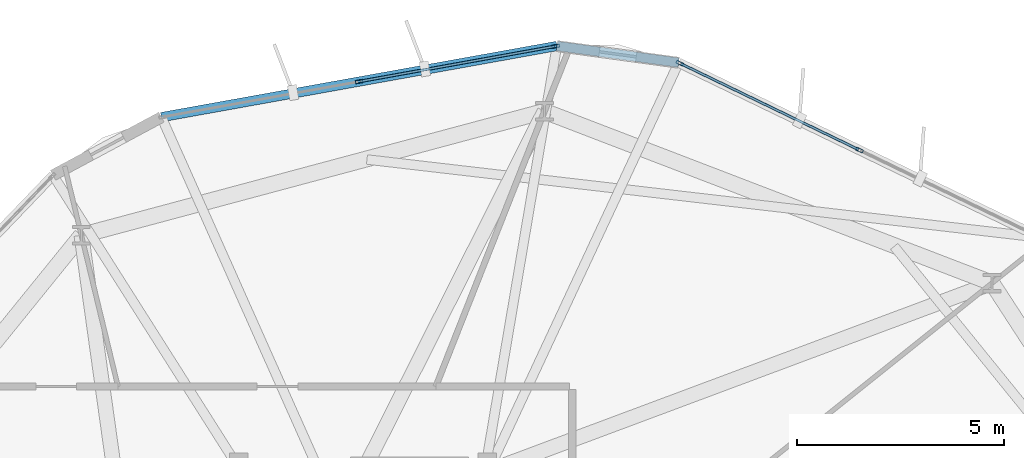
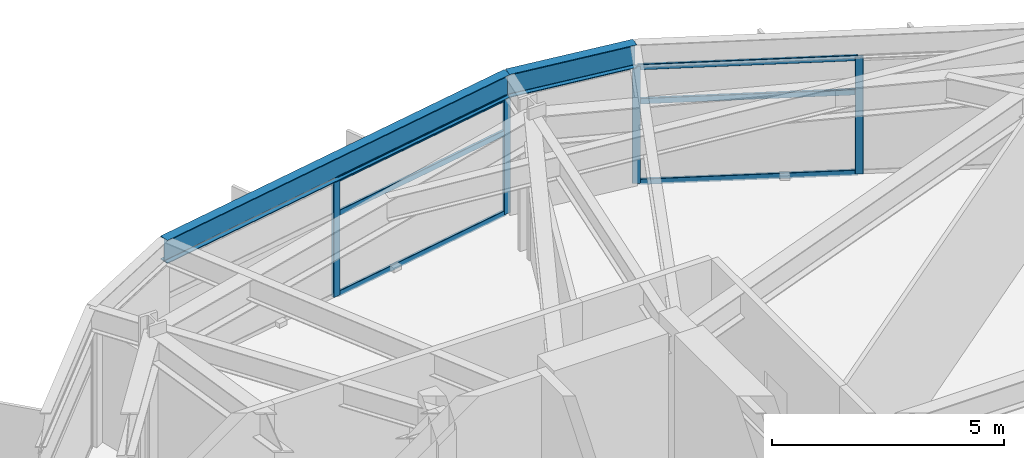
# One storey, part 14 of 22: 10 members, 2 beams, 2 elements without a shape of their own.
"""IFC4 building model written with IfcOpenShell, lengths in metres."""

from ifc_helpers import new_model, si_unit, direction, frame, origin, origin_2d, place, context, subcontext, project, spatial, hollow_rectangle, i_section, extrude, material, layer, layer_set, material_profile, profile_set, type_object, element, aggregate, save


model = new_model("IFC4")

# Units and contexts
model_context = context("Model", 3, precision=1e-05, world=origin(), true_north=direction((0.0, 1.0)))
body_context = subcontext(model_context, "Body", "Model", "MODEL_VIEW")
ifc_project = project(units=[si_unit("LENGTHUNIT", "METRE"), si_unit("AREAUNIT", "SQUARE_METRE"), si_unit("VOLUMEUNIT", "CUBIC_METRE"), si_unit("PLANEANGLEUNIT", "RADIAN"), si_unit("MASSUNIT", "GRAM", prefix="KILO")], contexts=[model_context])

# Site, building, storey
site_placement = place(None, origin())
site = spatial("IfcSite", under=ifc_project, at=site_placement, CompositionType="ELEMENT")
building_placement = place(site_placement, origin())
building = spatial("IfcBuilding", under=site, at=building_placement, Name="Soratama Intermodal Tower", CompositionType="ELEMENT")
storey_placement = place(building_placement, frame((0.0, 0.0, 66.60009765625)))
storey = spatial("IfcBuildingStorey", under=building, at=storey_placement, Name="L15", CompositionType="ELEMENT", Elevation=66.60009765625)

# Beams
ifc_material_1 = material(Name="Structural steel ASTM A992 Grade 50", Category="steel")
ifc_material_profile_1 = material_profile(ifc_material_1, i_section(OverallWidth=0.22900390625, OverallDepth=0.612060546875, WebThickness=0.011962890625, FlangeThickness=0.01953125, FilletRadius=0.012939453125, at=origin_2d()), Name="W24X84")
ifc_profile_set_1 = profile_set([ifc_material_profile_1], Name="Structural steel ASTM A992 Grade 50")
beam_type = type_object("IfcBeamType", Name="BM-SPN-W24X84", PredefinedType="SPANDREL", material=ifc_profile_set_1)
beam_1_placement = place(storey_placement, frame((49.218994140625, 44.867919921875, 3.393798828125), z_axis=(-0.990725704986, 0.13587706753, 0.0), x_axis=(-0.13587706753, -0.990725704986, 0.0)))
element("IfcBeam", 1, at=beam_1_placement, inside=storey, type_object=beam_type, Name="BS-L15-CRN02", PredefinedType="SPANDREL", context=body_context, shape_type="SweptSolid", body=[
    extrude(i_section(OverallWidth=0.22900390625, OverallDepth=0.612060546875, WebThickness=0.011962890625, FlangeThickness=0.01953125, FilletRadius=0.012939453125, at=origin_2d()), origin(), (0.0, 0.0, 1.0), 2.966552734375),
])
beam_2_placement = place(storey_placement, frame((46.280029296875, 45.27099609375, 3.393798828125), z_axis=(-0.984184552879, -0.177146170928, 0.0), x_axis=(0.177146170928, -0.984184552879, 0.0)))
element("IfcBeam", 2, at=beam_2_placement, inside=storey, type_object=beam_type, Name="BS-L15-F03", PredefinedType="SPANDREL", context=body_context, shape_type="SweptSolid", body=[
    extrude(i_section(OverallWidth=0.22900390625, OverallDepth=0.612060546875, WebThickness=0.011962890625, FlangeThickness=0.01953125, FilletRadius=0.012939453125, at=origin_2d()), origin(), (0.0, 0.0, 1.0), 9.6982421875),
])

# Curtain wall, members
ifc_material_2 = material(Name="Double-glazed aluminium curtain wall", Category="aluminium")
ifc_layer = layer(ifc_material_2, 0.159912109375)
ifc_layer_set = layer_set([ifc_layer], Name="Double-glazed aluminium curtain wall")
curtain_wall_type = type_object("IfcCurtainWallType", Name="CW-SYS-2", PredefinedType="NOTDEFINED", material=ifc_layer_set)
curtain_wall_1_placement = place(storey_placement, origin())
curtain_wall_1 = element("IfcCurtainWall", 3, at=curtain_wall_1_placement, inside=storey, type_object=curtain_wall_type, Name="L15 Faceted Curtain Wall F02", PredefinedType="NOTDEFINED")
ifc_material_3 = material(Name="Anodised aluminium AA 6063-T6", Category="aluminium")
ifc_material_profile_2 = material_profile(ifc_material_3, hollow_rectangle(XDim=0.074951171875, YDim=0.179931640625, WallThickness=0.006103515625, InnerFilletRadius=0.006103515625, OuterFilletRadius=0.011962890625, at=origin_2d()), Name="CWM180X75X6")
ifc_profile_set_2 = profile_set([ifc_material_profile_2], Name="Anodised aluminium AA 6063-T6")
member_type_1 = type_object("IfcMemberType", Name="MT-CWM-2", PredefinedType="MULLION", material=ifc_profile_set_2)
member_1_placement = place(storey_placement, frame((53.584228515625, 42.757568359375, 0.0), z_axis=(0.0, 0.0, 1.0), x_axis=(-0.435224802543, -0.900321815381, 0.0)))
member_1 = element("IfcMember", 4, at=member_1_placement, type_object=member_type_1, Name="CW-2 mullion 2", PredefinedType="MULLION", context=body_context, shape_type="SweptSolid", body=[
    extrude(hollow_rectangle(XDim=0.074951171875, YDim=0.179931640625, WallThickness=0.006103515625, InnerFilletRadius=0.006103515625, OuterFilletRadius=0.011962890625, at=origin_2d()), origin(), (0.0, 0.0, 1.0), 3.078857421875),
])
member_2_placement = place(storey_placement, frame((49.24560546875, 44.85498046875, 0.0), z_axis=(0.0, 0.0, 1.0), x_axis=(-0.435224802543, -0.900321815381, 0.0)))
member_2 = element("IfcMember", 5, at=member_2_placement, type_object=member_type_1, Name="CW-2 mullion 3", PredefinedType="MULLION", context=body_context, shape_type="SweptSolid", body=[
    extrude(hollow_rectangle(XDim=0.074951171875, YDim=0.179931640625, WallThickness=0.006103515625, InnerFilletRadius=0.006103515625, OuterFilletRadius=0.011962890625, at=origin_2d()), origin(), (0.0, 0.0, 1.0), 3.078857421875),
])

curtain_wall_2_placement = place(storey_placement, origin())
curtain_wall_2 = element("IfcCurtainWall", 6, at=curtain_wall_2_placement, inside=storey, type_object=curtain_wall_type, Name="L15 Faceted Curtain Wall F03", PredefinedType="NOTDEFINED")
member_3_placement = place(storey_placement, frame((46.25, 45.265380859375, 0.0), z_axis=(0.0, 0.0, 1.0), x_axis=(0.177078488513, -0.984196732826, 0.0)))
member_3 = element("IfcMember", 7, at=member_3_placement, type_object=member_type_1, Name="CW-2 mullion 1", PredefinedType="MULLION", context=body_context, shape_type="SweptSolid", body=[
    extrude(hollow_rectangle(XDim=0.074951171875, YDim=0.179931640625, WallThickness=0.006103515625, InnerFilletRadius=0.006103515625, OuterFilletRadius=0.011962890625, at=origin_2d()), origin(), (0.0, 0.0, 1.0), 3.078857421875),
])
member_4_placement = place(storey_placement, frame((41.50732421875, 44.411865234375, 0.0), z_axis=(0.0, 0.0, 1.0), x_axis=(0.177078488513, -0.984196732826, 0.0)))
member_4 = element("IfcMember", 8, at=member_4_placement, type_object=member_type_1, Name="CW-2 mullion 2", PredefinedType="MULLION", context=body_context, shape_type="SweptSolid", body=[
    extrude(hollow_rectangle(XDim=0.074951171875, YDim=0.179931640625, WallThickness=0.006103515625, InnerFilletRadius=0.006103515625, OuterFilletRadius=0.011962890625, at=origin_2d()), origin(), (0.0, 0.0, 1.0), 3.078857421875),
])

# Member
ifc_material_4 = material(Name="Anodised aluminium AA 6063-T6", Category="aluminium")
ifc_material_profile_3 = material_profile(ifc_material_4, hollow_rectangle(XDim=0.06494140625, YDim=0.14990234375, WallThickness=0.0048828125, InnerFilletRadius=0.0048828125, OuterFilletRadius=0.010009765625, at=origin_2d()), Name="CWT150X65X5")
ifc_profile_set_3 = profile_set([ifc_material_profile_3], Name="Anodised aluminium AA 6063-T6")
member_type_2 = type_object("IfcMemberType", Name="TT-CWT-1", PredefinedType="USERDEFINED", material=ifc_profile_set_3)
member_5_placement = place(storey_placement, frame((53.557373046875, 42.770751953125, 0.02978515625), z_axis=(-0.900338902571, 0.435189453591, 0.0), x_axis=(-0.435189453591, -0.900338902571, 0.0)))
member_5 = element("IfcMember", 9, at=member_5_placement, type_object=member_type_2, Name="CW-2 transom 2.1", ObjectType="TRANSOM", PredefinedType="USERDEFINED", context=body_context, shape_type="SweptSolid", body=[
    extrude(hollow_rectangle(XDim=0.06494140625, YDim=0.14990234375, WallThickness=0.0048828125, InnerFilletRadius=0.0048828125, OuterFilletRadius=0.010009765625, at=origin_2d()), origin(), (0.0, 0.0, 1.0), 4.759033203125),
])

member_6_placement = place(storey_placement, frame((53.557373046875, 42.770751953125, 2.14990234375), z_axis=(-0.900338902571, 0.435189453591, 0.0), x_axis=(-0.435189453591, -0.900338902571, 0.0)))
member_6 = element("IfcMember", 10, at=member_6_placement, type_object=member_type_2, Name="CW-2 transom 2.2", ObjectType="TRANSOM", PredefinedType="USERDEFINED", context=body_context, shape_type="SweptSolid", body=[
    extrude(hollow_rectangle(XDim=0.06494140625, YDim=0.14990234375, WallThickness=0.0048828125, InnerFilletRadius=0.0048828125, OuterFilletRadius=0.010009765625, at=origin_2d()), origin(), (0.0, 0.0, 1.0), 4.759033203125),
])

member_7_placement = place(storey_placement, frame((53.557373046875, 42.770751953125, 3.048828125), z_axis=(-0.900338902571, 0.435189453591, 0.0), x_axis=(-0.435189453591, -0.900338902571, 0.0)))
member_7 = element("IfcMember", 11, at=member_7_placement, type_object=member_type_2, Name="CW-2 transom 2.3", ObjectType="TRANSOM", PredefinedType="USERDEFINED", context=body_context, shape_type="SweptSolid", body=[
    extrude(hollow_rectangle(XDim=0.06494140625, YDim=0.14990234375, WallThickness=0.0048828125, InnerFilletRadius=0.0048828125, OuterFilletRadius=0.010009765625, at=origin_2d()), origin(), (0.0, 0.0, 1.0), 4.759033203125),
])

aggregate(curtain_wall_1, [member_1, member_2, member_5, member_6, member_7])

member_8_placement = place(storey_placement, frame((46.220458984375, 45.260009765625, 0.02978515625), z_axis=(-0.984193340464, -0.177097342123, 0.0), x_axis=(0.177097342123, -0.984193340464, 0.0)))
member_8 = element("IfcMember", 12, at=member_8_placement, type_object=member_type_2, Name="CW-2 transom 1.1", ObjectType="TRANSOM", PredefinedType="USERDEFINED", context=body_context, shape_type="SweptSolid", body=[
    extrude(hollow_rectangle(XDim=0.06494140625, YDim=0.14990234375, WallThickness=0.0048828125, InnerFilletRadius=0.0048828125, OuterFilletRadius=0.010009765625, at=origin_2d()), origin(), (0.0, 0.0, 1.0), 4.7587890625),
])

member_9_placement = place(storey_placement, frame((46.220458984375, 45.260009765625, 2.14990234375), z_axis=(-0.984193340464, -0.177097342123, 0.0), x_axis=(0.177097342123, -0.984193340464, 0.0)))
member_9 = element("IfcMember", 13, at=member_9_placement, type_object=member_type_2, Name="CW-2 transom 1.2", ObjectType="TRANSOM", PredefinedType="USERDEFINED", context=body_context, shape_type="SweptSolid", body=[
    extrude(hollow_rectangle(XDim=0.06494140625, YDim=0.14990234375, WallThickness=0.0048828125, InnerFilletRadius=0.0048828125, OuterFilletRadius=0.010009765625, at=origin_2d()), origin(), (0.0, 0.0, 1.0), 4.7587890625),
])

member_10_placement = place(storey_placement, frame((46.220458984375, 45.260009765625, 3.048828125), z_axis=(-0.984193340464, -0.177097342123, 0.0), x_axis=(0.177097342123, -0.984193340464, 0.0)))
member_10 = element("IfcMember", 14, at=member_10_placement, type_object=member_type_2, Name="CW-2 transom 1.3", ObjectType="TRANSOM", PredefinedType="USERDEFINED", context=body_context, shape_type="SweptSolid", body=[
    extrude(hollow_rectangle(XDim=0.06494140625, YDim=0.14990234375, WallThickness=0.0048828125, InnerFilletRadius=0.0048828125, OuterFilletRadius=0.010009765625, at=origin_2d()), origin(), (0.0, 0.0, 1.0), 4.7587890625),
])

aggregate(curtain_wall_2, [member_3, member_4, member_8, member_9, member_10])

save(model, "model.ifc")
